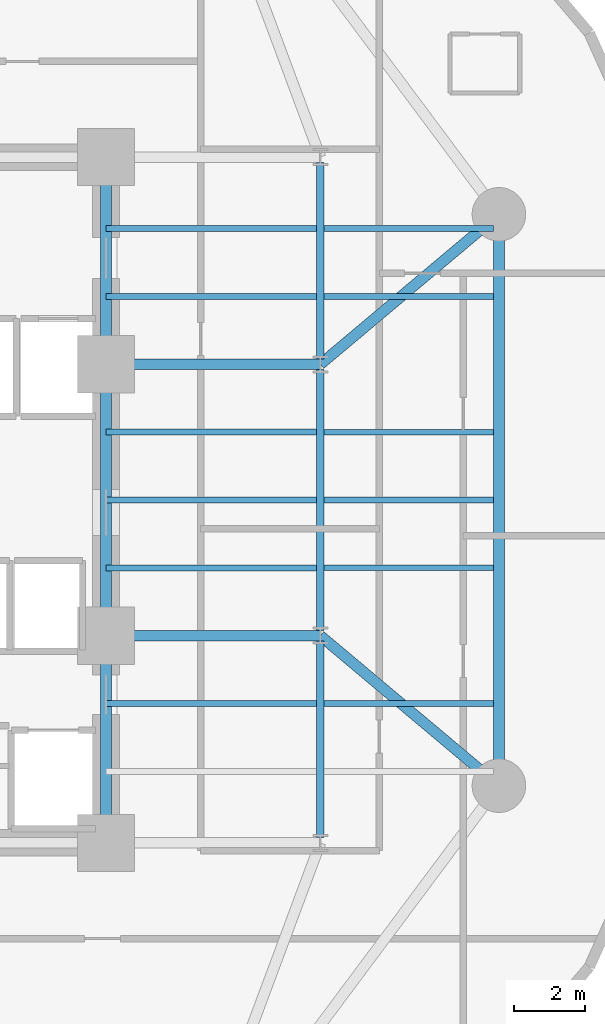
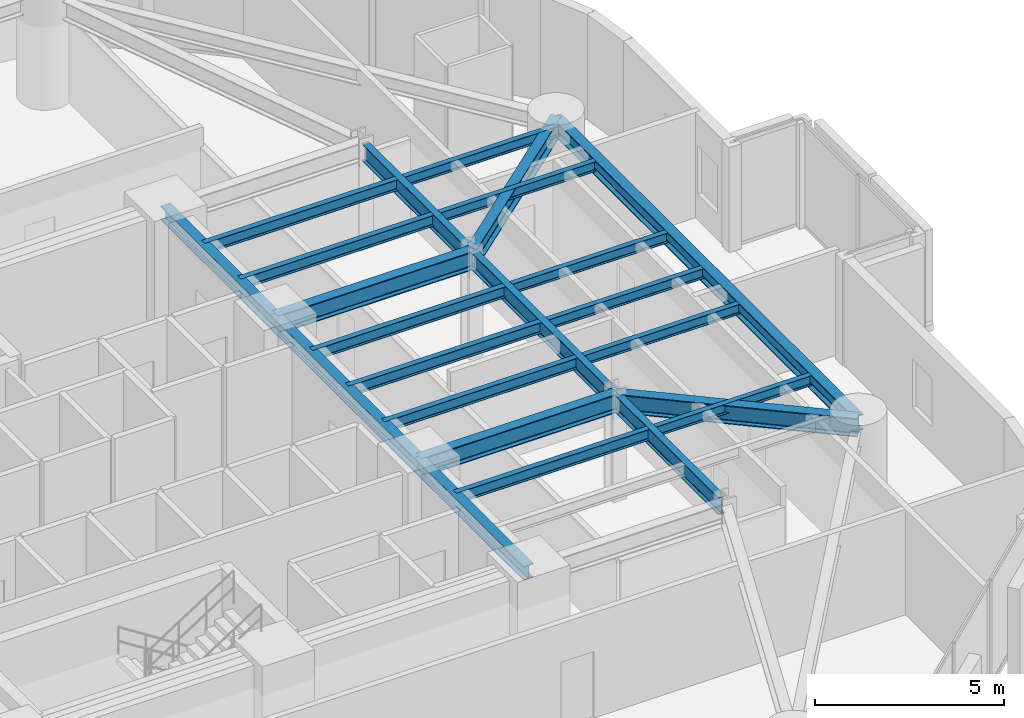
# One storey, part 5 of 16: 23 beams.
"""IFC4 building model written with IfcOpenShell, lengths in metres."""

from ifc_helpers import new_model, si_unit, direction, frame, origin, origin_2d, place, context, subcontext, project, spatial, i_section, extrude, material, material_profile, profile_set, type_object, element, save


model = new_model("IFC4")

# Units and contexts
model_context = context("Model", 3, precision=1e-05, world=origin(), true_north=direction((0.0, 1.0)))
body_context = subcontext(model_context, "Body", "Model", "MODEL_VIEW")
ifc_project = project(units=[si_unit("LENGTHUNIT", "METRE"), si_unit("AREAUNIT", "SQUARE_METRE"), si_unit("VOLUMEUNIT", "CUBIC_METRE"), si_unit("PLANEANGLEUNIT", "RADIAN"), si_unit("MASSUNIT", "GRAM", prefix="KILO")], contexts=[model_context])

# Site, building, storey
site_placement = place(None, origin())
site = spatial("IfcSite", under=ifc_project, at=site_placement, CompositionType="ELEMENT")
building_placement = place(site_placement, origin())
building = spatial("IfcBuilding", under=site, at=building_placement, Name="An Khanh Terracotta Commons", CompositionType="ELEMENT")
storey_placement = place(building_placement, frame((0.0, 0.0, 68.39990234375)))
storey = spatial("IfcBuildingStorey", under=building, at=storey_placement, Name="L18", CompositionType="ELEMENT", Elevation=68.39990234375)

# Beams
ifc_material = material(Name="Steel S355J2", Category="steel")
ifc_material_profile_1 = material_profile(ifc_material, i_section(OverallWidth=0.300048828125, OverallDepth=0.449951171875, WebThickness=0.013916015625, FlangeThickness=0.02587890625, FilletRadius=0.027099609375, at=origin_2d()), Name="HEB450")
ifc_profile_set_1 = profile_set([ifc_material_profile_1], Name="Steel S355J2")
beam_type_1 = type_object("IfcBeamType", Name="BM-HEB450", PredefinedType="BEAM", material=ifc_profile_set_1)
beam_1_placement = place(storey_placement, frame((37.199951171875, 14.39990234375, 3.175048828125), z_axis=(0.0, 1.0, 0.0), x_axis=(-1.0, 0.0, 0.0)))
element("IfcBeam", 1, at=beam_1_placement, inside=storey, type_object=beam_type_1, Name="L18 Core East Coupling Girder 1", PredefinedType="BEAM", context=body_context, shape_type="SweptSolid", body=[
    extrude(i_section(OverallWidth=0.300048828125, OverallDepth=0.449951171875, WebThickness=0.013916015625, FlangeThickness=0.02587890625, FilletRadius=0.027099609375, at=origin_2d()), origin(), (0.0, 0.0, 1.0), 5.800048828125),
])
beam_2_placement = place(storey_placement, frame((37.199951171875, 20.199951171875, 3.175048828125), z_axis=(0.0, 1.0, 0.0), x_axis=(-1.0, 0.0, 0.0)))
element("IfcBeam", 2, at=beam_2_placement, inside=storey, type_object=beam_type_1, Name="L18 Core East Coupling Girder 2", PredefinedType="BEAM", context=body_context, shape_type="SweptSolid", body=[
    extrude(i_section(OverallWidth=0.300048828125, OverallDepth=0.449951171875, WebThickness=0.013916015625, FlangeThickness=0.02587890625, FilletRadius=0.027099609375, at=origin_2d()), origin(), (0.0, 0.0, 1.0), 7.60009765625),
])
beam_3_placement = place(storey_placement, frame((37.199951171875, 27.800048828125, 3.175048828125), z_axis=(0.0, 1.0, 0.0), x_axis=(-1.0, 0.0, 0.0)))
element("IfcBeam", 3, at=beam_3_placement, inside=storey, type_object=beam_type_1, Name="L18 Core East Coupling Girder 3", PredefinedType="BEAM", context=body_context, shape_type="SweptSolid", body=[
    extrude(i_section(OverallWidth=0.300048828125, OverallDepth=0.449951171875, WebThickness=0.013916015625, FlangeThickness=0.02587890625, FilletRadius=0.027099609375, at=origin_2d()), origin(), (0.0, 0.0, 1.0), 5.800048828125),
])
ifc_material_profile_2 = material_profile(ifc_material, i_section(OverallWidth=0.300048828125, OverallDepth=0.5, WebThickness=0.014404296875, FlangeThickness=0.028076171875, FilletRadius=0.027099609375, at=origin_2d()), Name="HEB500")
ifc_profile_set_2 = profile_set([ifc_material_profile_2], Name="Steel S355J2")
beam_type_2 = type_object("IfcBeamType", Name="BM-HEB500", PredefinedType="BEAM", material=ifc_profile_set_2)
beam_4_placement = place(storey_placement, frame((48.199951171875, 16.0, 3.150146484375), z_axis=(0.0, 1.0, 0.0), x_axis=(-1.0, 0.0, 0.0)))
element("IfcBeam", 4, at=beam_4_placement, inside=storey, type_object=beam_type_2, Name="L18 Perimeter Ring Spandrel 3", PredefinedType="BEAM", context=body_context, shape_type="SweptSolid", body=[
    extrude(i_section(OverallWidth=0.300048828125, OverallDepth=0.5, WebThickness=0.014404296875, FlangeThickness=0.028076171875, FilletRadius=0.027099609375, at=origin_2d()), origin(), (0.0, 0.0, 1.0), 16.0),
])
ifc_material_profile_3 = material_profile(ifc_material, i_section(OverallWidth=0.300048828125, OverallDepth=0.60009765625, WebThickness=0.015380859375, FlangeThickness=0.030029296875, FilletRadius=0.027099609375, at=origin_2d()), Name="HEB600")
ifc_profile_set_3 = profile_set([ifc_material_profile_3], Name="Steel S355J2")
beam_type_3 = type_object("IfcBeamType", Name="BM-HEB600", PredefinedType="BEAM", material=ifc_profile_set_3)
for number, where, z_axis, x_axis, name in (
    (5, (37.199951171875, 20.199951171875, 3.10009765625), (1.0, 0.0, 0.0), (0.0, 1.0, 0.0), "L18 East Primary Floor Girder 2"),
    (6, (37.199951171875, 27.800048828125, 3.10009765625), (1.0, 0.0, 0.0), (0.0, 1.0, 0.0), "L18 East Primary Floor Girder 3"),
):
    element("IfcBeam", number, at=place(storey_placement, frame(where, z_axis=z_axis, x_axis=x_axis)), inside=storey, type_object=beam_type_3, Name=name, PredefinedType="BEAM", context=body_context, shape_type="SweptSolid", body=[
        extrude(i_section(OverallWidth=0.300048828125, OverallDepth=0.60009765625, WebThickness=0.015380859375, FlangeThickness=0.030029296875, FilletRadius=0.027099609375, at=origin_2d()), origin(), (0.0, 0.0, 1.0), 6.0),
    ])
for number, where, z_axis, x_axis, name in (
    (7, (48.199951171875, 16.0, 3.10009765625), (-0.765708547471, 0.643187702253, 0.0), (-0.643187702253, -0.765708547471, 0.0), "L18 Mega-Column Tie Girder 3"),
    (8, (48.199951171875, 32.0, 3.10009765625), (-0.765708547471, -0.643187702253, 0.0), (0.643187702253, -0.765708547471, 0.0), "L18 Mega-Column Tie Girder 4"),
):
    element("IfcBeam", number, at=place(storey_placement, frame(where, z_axis=z_axis, x_axis=x_axis)), inside=storey, type_object=beam_type_3, Name=name, PredefinedType="BEAM", context=body_context, shape_type="SweptSolid", body=[
        extrude(i_section(OverallWidth=0.300048828125, OverallDepth=0.60009765625, WebThickness=0.015380859375, FlangeThickness=0.030029296875, FilletRadius=0.027099609375, at=origin_2d()), origin(), (0.0, 0.0, 1.0), 6.52978515625),
    ])
ifc_material_profile_4 = material_profile(ifc_material, i_section(OverallWidth=0.159912109375, OverallDepth=0.330078125, WebThickness=0.007568359375, FlangeThickness=0.011474609375, FilletRadius=0.01806640625, at=origin_2d()), Name="IPE330")
ifc_profile_set_4 = profile_set([ifc_material_profile_4], Name="Steel S355J2")
beam_type_4 = type_object("IfcBeamType", Name="BM-IPE330", PredefinedType="JOIST", material=ifc_profile_set_4)
for number, where, z_axis, x_axis, name in (
    (9, (43.304931640625, 18.300048828125, 3.235107421875), (1.0, 0.0, 0.0), (0.0, 1.0, 0.0), "L18 Riverfront Composite Joist 2"),
    (10, (43.304931640625, 22.10009765625, 3.235107421875), (1.0, 0.0, 0.0), (0.0, 1.0, 0.0), "L18 Riverfront Composite Joist 3"),
    (11, (43.304931640625, 24.0, 3.235107421875), (1.0, 0.0, 0.0), (0.0, 1.0, 0.0), "L18 Riverfront Composite Joist 4"),
    (12, (43.304931640625, 25.89990234375, 3.235107421875), (1.0, 0.0, 0.0), (0.0, 1.0, 0.0), "L18 Riverfront Composite Joist 5"),
    (13, (43.304931640625, 29.699951171875, 3.235107421875), (1.0, 0.0, 0.0), (0.0, 1.0, 0.0), "L18 Riverfront Composite Joist 6"),
    (14, (43.304931640625, 31.60009765625, 3.235107421875), (1.0, 0.0, 0.0), (0.0, 1.0, 0.0), "L18 Riverfront Composite Joist 7"),
):
    element("IfcBeam", number, at=place(storey_placement, frame(where, z_axis=z_axis, x_axis=x_axis)), inside=storey, type_object=beam_type_4, Name=name, PredefinedType="JOIST", context=body_context, shape_type="SweptSolid", body=[
        extrude(i_section(OverallWidth=0.159912109375, OverallDepth=0.330078125, WebThickness=0.007568359375, FlangeThickness=0.011474609375, FilletRadius=0.01806640625, at=origin_2d()), origin(), (0.0, 0.0, 1.0), 4.7451171875),
    ])
ifc_material_profile_5 = material_profile(ifc_material, i_section(OverallWidth=0.169921875, OverallDepth=0.360107421875, WebThickness=0.008056640625, FlangeThickness=0.0126953125, FilletRadius=0.01806640625, at=origin_2d()), Name="IPE360")
ifc_profile_set_5 = profile_set([ifc_material_profile_5], Name="Steel S355J2")
beam_type_5 = type_object("IfcBeamType", Name="BM-IPE360", PredefinedType="JOIST", material=ifc_profile_set_5)
for number, where, z_axis, x_axis, name in (
    (15, (37.199951171875, 18.300048828125, 3.22021484375), (1.0, 0.0, 0.0), (0.0, 1.0, 0.0), "L18 Inboard Composite Joist 2"),
    (16, (37.199951171875, 22.10009765625, 3.22021484375), (1.0, 0.0, 0.0), (0.0, 1.0, 0.0), "L18 Inboard Composite Joist 3"),
    (17, (37.199951171875, 24.0, 3.22021484375), (1.0, 0.0, 0.0), (0.0, 1.0, 0.0), "L18 Inboard Composite Joist 4"),
    (18, (37.199951171875, 25.89990234375, 3.22021484375), (1.0, 0.0, 0.0), (0.0, 1.0, 0.0), "L18 Inboard Composite Joist 5"),
    (19, (37.199951171875, 29.699951171875, 3.22021484375), (1.0, 0.0, 0.0), (0.0, 1.0, 0.0), "L18 Inboard Composite Joist 6"),
    (20, (37.199951171875, 31.60009765625, 3.22021484375), (1.0, 0.0, 0.0), (0.0, 1.0, 0.0), "L18 Inboard Composite Joist 7"),
):
    element("IfcBeam", number, at=place(storey_placement, frame(where, z_axis=z_axis, x_axis=x_axis)), inside=storey, type_object=beam_type_5, Name=name, PredefinedType="JOIST", context=body_context, shape_type="SweptSolid", body=[
        extrude(i_section(OverallWidth=0.169921875, OverallDepth=0.360107421875, WebThickness=0.008056640625, FlangeThickness=0.0126953125, FilletRadius=0.01806640625, at=origin_2d()), origin(), (0.0, 0.0, 1.0), 5.89501953125),
    ])
ifc_material_profile_6 = material_profile(ifc_material, i_section(OverallWidth=0.2099609375, OverallDepth=0.550048828125, WebThickness=0.010986328125, FlangeThickness=0.01708984375, FilletRadius=0.02392578125, at=origin_2d()), Name="IPE550")
ifc_profile_set_6 = profile_set([ifc_material_profile_6], Name="Steel S355J2")
beam_type_6 = type_object("IfcBeamType", Name="BM-IPE550", PredefinedType="BEAM", material=ifc_profile_set_6)
beam_5_placement = place(storey_placement, frame((43.199951171875, 14.550048828125, 3.125), z_axis=(0.0, 1.0, 0.0), x_axis=(-1.0, 0.0, 0.0)))
element("IfcBeam", 21, at=beam_5_placement, inside=storey, type_object=beam_type_6, Name="L18 East Spine Girder 1", PredefinedType="BEAM", context=body_context, shape_type="SweptSolid", body=[
    extrude(i_section(OverallWidth=0.2099609375, OverallDepth=0.550048828125, WebThickness=0.010986328125, FlangeThickness=0.01708984375, FilletRadius=0.02392578125, at=origin_2d()), origin(), (0.0, 0.0, 1.0), 5.5),
])
beam_6_placement = place(storey_placement, frame((43.199951171875, 20.35009765625, 3.125), z_axis=(0.0, 1.0, 0.0), x_axis=(-1.0, 0.0, 0.0)))
element("IfcBeam", 22, at=beam_6_placement, inside=storey, type_object=beam_type_6, Name="L18 East Spine Girder 2", PredefinedType="BEAM", context=body_context, shape_type="SweptSolid", body=[
    extrude(i_section(OverallWidth=0.2099609375, OverallDepth=0.550048828125, WebThickness=0.010986328125, FlangeThickness=0.01708984375, FilletRadius=0.02392578125, at=origin_2d()), origin(), (0.0, 0.0, 1.0), 7.2998046875),
])
beam_7_placement = place(storey_placement, frame((43.199951171875, 27.949951171875, 3.125), z_axis=(0.0, 1.0, 0.0), x_axis=(-1.0, 0.0, 0.0)))
element("IfcBeam", 23, at=beam_7_placement, inside=storey, type_object=beam_type_6, Name="L18 East Spine Girder 3", PredefinedType="BEAM", context=body_context, shape_type="SweptSolid", body=[
    extrude(i_section(OverallWidth=0.2099609375, OverallDepth=0.550048828125, WebThickness=0.010986328125, FlangeThickness=0.01708984375, FilletRadius=0.02392578125, at=origin_2d()), origin(), (0.0, 0.0, 1.0), 5.5),
])

save(model, "model.ifc")
